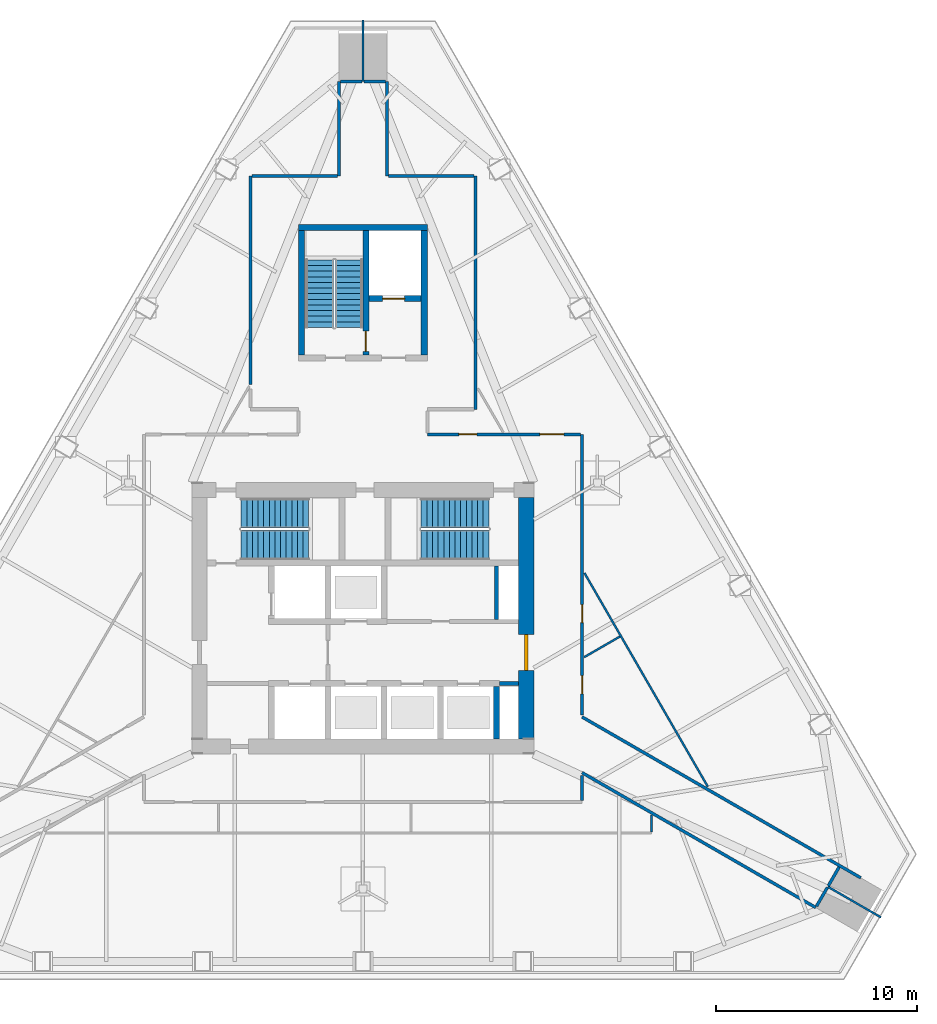
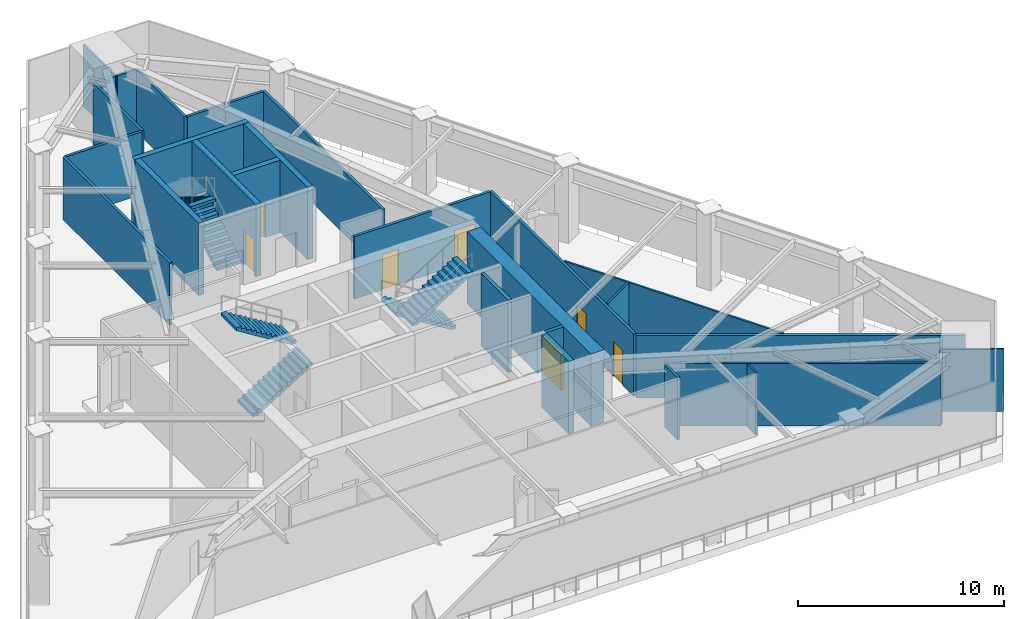
# One storey, part 4 of 9: 29 walls, 7 doors, 6 stair flights, 7 openings, 3 elements without a shape of their own.
"""IFC4 building model written with IfcOpenShell, lengths in metres."""

import ifcopenshell
import ifcopenshell.guid

model = None  # the IFC model being written
_history = None  # IfcOwnerHistory: only IFC2X3 demands one
_inside = {}  # id of a spatial element -> (the spatial element, [elements in it])
_under = {}  # id of a project, library or spatial element -> (it, [spatial elements below it])
_declared = {}  # id of a project -> (the project, [libraries it declares])
_typed = {}  # id of a type object -> (the type object, [elements of that type])
_made_of = {}  # id of a material, layer set ... -> (it, [elements and type objects made of it])


def new_model(schema):
    """Start an empty IFC model of exactly this schema.

    Asked for "IFC4X3", IfcOpenShell would pick the latest addendum, in which some entities
    have other attributes; the version numbers below select the first issue.
    IFC2X3 requires an IfcOwnerHistory on every rooted entity: one is made here for all.
    """
    global model, _history
    if schema == "IFC4X3":
        model = ifcopenshell.file(schema_version=(4, 3, 0, 0))
    else:
        model = ifcopenshell.file(schema=schema)
    _inside.clear()
    _under.clear()
    _declared.clear()
    _typed.clear()
    _made_of.clear()
    _history = None
    if model.schema == "IFC2X3":
        org = make("IfcOrganization", Name="unknown")
        user = make(
            "IfcPersonAndOrganization",
            ThePerson=make("IfcPerson", FamilyName="unknown"),
            TheOrganization=org,
        )
        app = make(
            "IfcApplication",
            ApplicationDeveloper=org,
            Version="unknown",
            ApplicationFullName="unknown",
            ApplicationIdentifier="unknown",
        )
        _history = make(
            "IfcOwnerHistory",
            OwningUser=user,
            OwningApplication=app,
            ChangeAction="ADDED",
            CreationDate=0,
        )
    return model


def make(cls, **values):
    """One entity of the class cls with the attributes given. An attribute that is None is left unset."""
    return model.create_entity(
        cls, **{name: value for name, value in values.items() if value is not None}
    )


def rooted(cls, **values):
    """An entity with a GlobalId (a new one), such as an element, a storey or a relation."""
    return make(cls, GlobalId=ifcopenshell.guid.new(), OwnerHistory=_history, **values)


def si_unit(unit_type, name, prefix=None):
    """IfcSIUnit, for example si_unit("LENGTHUNIT", "METRE", prefix="MILLI")."""
    return make("IfcSIUnit", UnitType=unit_type, Prefix=prefix, Name=name)


def assignment(units):
    """IfcUnitAssignment: the units of a project."""
    return None if units is None else make("IfcUnitAssignment", Units=units)


def point(xyz):
    """IfcCartesianPoint."""
    return None if xyz is None else make("IfcCartesianPoint", Coordinates=xyz)


def direction(xyz):
    """IfcDirection."""
    return None if xyz is None else make("IfcDirection", DirectionRatios=xyz)


def frame(location, z_axis=None, x_axis=None):
    """IfcAxis2Placement3D, a coordinate frame: its origin and axes. An axis left out is left unset."""
    return make(
        "IfcAxis2Placement3D",
        Location=point(location),
        Axis=direction(z_axis),
        RefDirection=direction(x_axis),
    )


def frame_2d(location, x_axis=None):
    """IfcAxis2Placement2D, a coordinate frame in the plane: its origin and x axis."""
    return make(
        "IfcAxis2Placement2D", Location=point(location), RefDirection=direction(x_axis)
    )


def origin():
    """The frame at (0, 0, 0) with its axes left unset."""
    return frame((0.0, 0.0, 0.0))


def place(relative_to, where):
    """IfcLocalPlacement: puts the frame where relative to a parent placement (None: the world)."""
    return make(
        "IfcLocalPlacement", PlacementRelTo=relative_to, RelativePlacement=where
    )


def context(
    kind, dimensions, precision=None, world=None, true_north=None, identifier=None
):
    """IfcGeometricRepresentationContext, for example the 3D "Model" context."""
    return make(
        "IfcGeometricRepresentationContext",
        ContextIdentifier=identifier,
        ContextType=kind,
        CoordinateSpaceDimension=dimensions,
        Precision=precision,
        WorldCoordinateSystem=world,
        TrueNorth=true_north,
    )


def subcontext(parent, identifier, kind, view, scale=None):
    """IfcGeometricRepresentationSubContext, for example "Body" below "Model"."""
    return make(
        "IfcGeometricRepresentationSubContext",
        ContextIdentifier=identifier,
        ContextType=kind,
        ParentContext=parent,
        TargetScale=scale,
        TargetView=view,
    )


def project(units=None, contexts=None):
    """IfcProject with its units and contexts."""
    return rooted(
        "IfcProject",
        Name="project",
        RepresentationContexts=contexts,
        UnitsInContext=assignment(units),
    )


def spatial(cls, under=None, at=None, **own):
    """A site, building, storey or space (cls), placed at a placement, below another one or the project."""
    s = rooted(cls, ObjectPlacement=at, **own)
    if under is not None:
        _under.setdefault(under.id(), (under, []))[1].append(s)
    return s


def polyline(points):
    """IfcPolyline through the points."""
    return make("IfcPolyline", Points=[point(p) for p in points])


def profile(cls, at=None, kind="AREA", **sizes):
    """A parametric profile (cls). Its sizes go by their IFC names, for example OverallWidth=200.0."""
    return make(cls, ProfileType=kind, Position=at, **sizes)


def rectangle(**sizes):
    """IfcRectangleProfileDef."""
    return profile("IfcRectangleProfileDef", **sizes)


def outline(outer, holes=None, kind="AREA"):
    """IfcArbitraryClosedProfileDef: a profile drawn as a closed curve; with holes, ...WithVoids."""
    if holes is None:
        return make("IfcArbitraryClosedProfileDef", ProfileType=kind, OuterCurve=outer)
    return make(
        "IfcArbitraryProfileDefWithVoids",
        ProfileType=kind,
        OuterCurve=outer,
        InnerCurves=holes,
    )


def extrude(swept, where, along, depth):
    """IfcExtrudedAreaSolid: the profile swept, set in the frame where, extruded along a direction by depth."""
    return make(
        "IfcExtrudedAreaSolid",
        SweptArea=swept,
        Position=where,
        ExtrudedDirection=direction(along),
        Depth=depth,
    )


def shape(context_of_items, identifier, shape_type, items):
    """IfcShapeRepresentation: the items that make up one representation, for example the "Body"."""
    return make(
        "IfcShapeRepresentation",
        ContextOfItems=context_of_items,
        RepresentationIdentifier=identifier,
        RepresentationType=shape_type,
        Items=items,
    )


def material(Name=None, Category=None):
    """IfcMaterial."""
    return make("IfcMaterial", Name=Name, Category=Category)


def layer(
    of_material, thickness, ventilated=None, Name=None, Category=None, Priority=None
):
    """IfcMaterialLayer: one layer of a wall or slab, of a material (None: an air gap)."""
    return make(
        "IfcMaterialLayer",
        Material=of_material,
        LayerThickness=thickness,
        IsVentilated=ventilated,
        Name=Name,
        Category=Category,
        Priority=Priority,
    )


def layer_set(layers, Name=None):
    """IfcMaterialLayerSet."""
    return make("IfcMaterialLayerSet", MaterialLayers=layers, LayerSetName=Name)


def made_of(thing, what):
    """Note that an element or type object is made of a material, layer set ...; save() writes the relation."""
    if what is not None:
        _made_of.setdefault(what.id(), (what, []))[1].append(thing)
    return thing


def type_object(cls, material=None, **own):
    """A type object (cls), such as IfcWallType, which elements share."""
    return made_of(rooted(cls, **own), material)


def element(
    cls,
    number,
    at=None,
    inside=None,
    cuts=None,
    type_object=None,
    material=None,
    context=None,
    identifier="Body",
    shape_type=None,
    held_by="IfcProductDefinitionShape",
    body=None,
    shapes=None,
    **own,
):
    """One element of the class cls, such as IfcWall. Its Tag is "e" and its number.

    at: its placement. inside: the storey or other place that contains it. cuts: it is an
    opening in that element (IfcRelVoidsElement). A single representation is given by context,
    identifier, shape_type and body (its items); several are given by shapes. held_by: the class
    of the entity that holds the representations. save() writes the other relations.
    """
    e = rooted(cls, Tag="e%d" % number, ObjectPlacement=at, **own)
    if body is not None:
        shapes = [shape(context, identifier, shape_type, body)]
    if shapes is not None:
        e.Representation = make(held_by, Representations=shapes)
    if inside is not None:
        _inside.setdefault(inside.id(), (inside, []))[1].append(e)
    if cuts is not None:
        rooted(
            "IfcRelVoidsElement", RelatingBuildingElement=cuts, RelatedOpeningElement=e
        )
    if type_object is not None:
        _typed.setdefault(type_object.id(), (type_object, []))[1].append(e)
    return made_of(e, material)


def fill(opening, filler):
    """IfcRelFillsElement: the door or window that sits in an opening."""
    return rooted(
        "IfcRelFillsElement",
        RelatingOpeningElement=opening,
        RelatedBuildingElement=filler,
    )


def aggregate(whole, parts):
    """IfcRelAggregates: a whole, such as a stair, and the parts it consists of."""
    return rooted("IfcRelAggregates", RelatingObject=whole, RelatedObjects=parts)


def save(model, path):
    """Write the relations noted so far, then the file.

    IfcRelAggregates (storeys below a building ...), IfcRelContainedInSpatialStructure (elements
    in a storey), IfcRelDefinesByType, IfcRelAssociatesMaterial and IfcRelDeclares: one each for
    every whole, place, type object, material and project.
    """
    for whole, parts in _under.values():
        aggregate(whole, parts)
    for where, things in _inside.values():
        rooted(
            "IfcRelContainedInSpatialStructure",
            RelatedElements=things,
            RelatingStructure=where,
        )
    for kind, things in _typed.values():
        rooted("IfcRelDefinesByType", RelatedObjects=things, RelatingType=kind)
    for what, things in _made_of.values():
        rooted("IfcRelAssociatesMaterial", RelatedObjects=things, RelatingMaterial=what)
    for by, libraries in _declared.values():
        rooted("IfcRelDeclares", RelatingContext=by, RelatedDefinitions=libraries)
    model.write(path)


model = new_model("IFC4")

# Units and contexts
model_context = context("Model", 3, precision=1e-05, world=origin(), true_north=direction((0.0, 1.0)))
body_context = subcontext(model_context, "Body", "Model", "MODEL_VIEW")
ifc_project = project(units=[si_unit("LENGTHUNIT", "METRE"), si_unit("AREAUNIT", "SQUARE_METRE"), si_unit("VOLUMEUNIT", "CUBIC_METRE"), si_unit("PLANEANGLEUNIT", "RADIAN"), si_unit("MASSUNIT", "GRAM", prefix="KILO")], contexts=[model_context])

# Site, building, storey
site_placement = place(None, origin())
site = spatial("IfcSite", under=ifc_project, at=site_placement, CompositionType="ELEMENT")
building_placement = place(site_placement, origin())
building = spatial("IfcBuilding", under=site, at=building_placement, Name="Firuza Gate Tower and Library", CompositionType="ELEMENT")
storey_placement = place(building_placement, frame((0.0, 0.0, 252.10009765625)))
storey = spatial("IfcBuildingStorey", under=building, at=storey_placement, Name="L59", CompositionType="ELEMENT", Elevation=252.10009765625)

# Walls
ifc_material_1 = material(Name="Plasterboard on steel studs", Category="steel")
ifc_layer_1 = layer(ifc_material_1, 0.199951171875)
ifc_layer_set_1 = layer_set([ifc_layer_1], Name="Core partition 200 EI 120")
wall_type_1 = type_object("IfcWallType", Name="Core partition 200 EI 120", PredefinedType="PARTITIONING", material=ifc_layer_set_1)
wall_1_placement = place(storey_placement, frame((81.800048828125, 71.75, 0.0), z_axis=(0.0, 0.0, 1.0), x_axis=(1.0, 0.0, 0.0)))
element("IfcWall", 1, at=wall_1_placement, inside=storey, type_object=wall_type_1, Name="Core partition L59 2", PredefinedType="PARTITIONING", context=body_context, shape_type="SweptSolid", body=[
    extrude(rectangle(XDim=0.949951171875, YDim=0.199951171875, at=frame_2d((0.47509765625, 0.0))), origin(), (0.0, 0.0, 1.0), 4.2998046875),
])
wall_2_placement = place(storey_placement, frame((81.64990234375, 74.949951171875, 0.0), z_axis=(0.0, 0.0, 1.0), x_axis=(0.0, 1.0, 0.0)))
element("IfcWall", 2, at=wall_2_placement, inside=storey, type_object=wall_type_1, Name="Core partition L59 5", PredefinedType="PARTITIONING", context=body_context, shape_type="SweptSolid", body=[
    extrude(rectangle(XDim=2.650146484375, YDim=0.199951171875, at=frame_2d((1.3251953125, 0.0))), origin(), (0.0, 0.0, 1.0), 4.2998046875),
])
ifc_material_2 = material(Name="Concrete C60/75", Category="concrete")
ifc_layer_2 = layer(ifc_material_2, 0.300048828125)
ifc_layer_set_2 = layer_set([ifc_layer_2], Name="Core wall 300 C60/75")
wall_type_2 = type_object("IfcWallType", Name="Core wall 300 C60/75", PredefinedType="SHEAR", material=ifc_layer_set_2)
wall_3_placement = place(storey_placement, frame((81.64990234375, 69.0, 0.0), z_axis=(0.0, 0.0, 1.0), x_axis=(0.0, 1.0, 0.0)))
element("IfcWall", 3, at=wall_3_placement, inside=storey, type_object=wall_type_2, Name="Core wall L59 14", PredefinedType="SHEAR", context=body_context, shape_type="SweptSolid", body=[
    extrude(rectangle(XDim=2.60009765625, YDim=0.300048828125, at=frame_2d((1.300048828125, 0.0))), origin(), (0.0, 0.0, 1.0), 4.2998046875),
])
wall_4_placement = place(storey_placement, frame((71.800048828125, 94.449951171875, 0.0), z_axis=(0.0, 0.0, 1.0), x_axis=(1.0, 0.0, 0.0)))
element("IfcWall", 4, at=wall_4_placement, inside=storey, type_object=wall_type_2, Name="Core wall L59 19", PredefinedType="SHEAR", context=body_context, shape_type="SweptSolid", body=[
    extrude(rectangle(XDim=6.39990234375, YDim=0.300048828125, at=frame_2d((3.199951171875, 0.0))), origin(), (0.0, 0.0, 1.0), 4.2998046875),
])
for number, where, z_axis, x_axis, name in (
    (5, (71.949951171875, 88.10009765625, 0.0), (0.0, 0.0, 1.0), (0.0, 1.0, 0.0), "Core wall L59 20"),
    (6, (78.050048828125, 88.10009765625, 0.0), (0.0, 0.0, 1.0), (0.0, 1.0, 0.0), "Core wall L59 21"),
):
    element("IfcWall", number, at=place(storey_placement, frame(where, z_axis=z_axis, x_axis=x_axis)), inside=storey, type_object=wall_type_2, Name=name, PredefinedType="SHEAR", context=body_context, shape_type="SweptSolid", body=[
        extrude(rectangle(XDim=6.199951171875, YDim=0.300048828125, at=frame_2d((3.10009765625, 0.0))), origin(), (0.0, 0.0, 1.0), 4.2998046875),
    ])

# Wall, opening, door
wall_5_placement = place(storey_placement, frame((75.300048828125, 90.89990234375, 0.0), z_axis=(0.0, 0.0, 1.0), x_axis=(1.0, 0.0, 0.0)))
wall_5 = element("IfcWall", 7, at=wall_5_placement, inside=storey, type_object=wall_type_2, Name="Core wall L59 22", PredefinedType="SHEAR", context=body_context, shape_type="SweptSolid", body=[
    extrude(rectangle(XDim=2.599853515625, YDim=0.300048828125, at=frame_2d((1.2998046875, 0.0))), origin(), (0.0, 0.0, 1.0), 4.2998046875),
])
opening_1_placement = place(wall_5_placement, frame((0.675048828125, 0.0, 0.0)))
opening_1 = element("IfcOpeningElement", 8, at=opening_1_placement, cuts=wall_5, Name="Opening LD-SV1-L59", PredefinedType="OPENING", context=body_context, shape_type="SweptSolid", body=[
    extrude(rectangle(XDim=1.10009765625, YDim=2.10009765625, at=frame_2d((0.550048828125, 1.050048828125))), frame((0.0, 0.16015625, 0.0), z_axis=(0.0, -1.0, 0.0), x_axis=(1.0, 0.0, 0.0)), (0.0, 0.0, 1.0), 0.320068359375),
])
ifc_material_3 = material(Name="Stainless steel", Category="steel")
door_type_1 = type_object("IfcDoorType", Name="Lift landing door 1100x2100", OperationType="DOUBLE_DOOR_SLIDING", PredefinedType="DOOR", material=ifc_material_3)
door_1_placement = place(opening_1_placement, origin())
door_1 = element("IfcDoor", 9, at=door_1_placement, inside=storey, type_object=door_type_1, Name="Landing door SV1 L59", OperationType="DOUBLE_DOOR_SLIDING", OverallHeight=2.10009765625, OverallWidth=1.10009765625, PredefinedType="DOOR", context=body_context, shape_type="SweptSolid", body=[
    extrude(rectangle(XDim=1.10009765625, YDim=2.10009765625, at=frame_2d((0.550048828125, 1.050048828125))), frame((0.0, 0.02490234375, 0.0), z_axis=(0.0, -1.0, 0.0), x_axis=(1.0, 0.0, 0.0)), (0.0, 0.0, 1.0), 0.050048828125),
])
fill(opening_1, door_1)

wall_6_placement = place(storey_placement, frame((75.14990234375, 88.10009765625, 0.0), z_axis=(0.0, 0.0, 1.0), x_axis=(0.0, 1.0, 0.0)))
wall_6 = element("IfcWall", 10, at=wall_6_placement, inside=storey, type_object=wall_type_2, Name="Core wall L59 23", PredefinedType="SHEAR", context=body_context, shape_type="SweptSolid", body=[
    extrude(rectangle(XDim=6.199951171875, YDim=0.300048828125, at=frame_2d((3.10009765625, 0.0))), origin(), (0.0, 0.0, 1.0), 4.2998046875),
])
opening_2_placement = place(wall_6_placement, frame((0.18505859375, 0.0, 0.0)))
opening_2 = element("IfcOpeningElement", 11, at=opening_2_placement, cuts=wall_6, Name="Opening L59-K12", PredefinedType="OPENING", context=body_context, shape_type="SweptSolid", body=[
    extrude(rectangle(XDim=1.0, YDim=2.10009765625, at=frame_2d((0.5, 1.050048828125))), frame((0.0, 0.16015625, 0.0), z_axis=(0.0, -1.0, 0.0), x_axis=(1.0, 0.0, 0.0)), (0.0, 0.0, 1.0), 0.320068359375),
])
ifc_material_4 = material(Name="Steel", Category="steel")
door_type_2 = type_object("IfcDoorType", Name="Fire door 1000x2100 FD90", OperationType="NOTDEFINED", PredefinedType="DOOR", material=ifc_material_4)
door_2_placement = place(opening_2_placement, origin())
door_2 = element("IfcDoor", 12, at=door_2_placement, inside=storey, type_object=door_type_2, Name="Door L59-K12", OperationType="SINGLE_SWING_LEFT", OverallHeight=2.10009765625, OverallWidth=1.0, PredefinedType="DOOR", context=body_context, shape_type="SweptSolid", body=[
    extrude(rectangle(XDim=1.0, YDim=2.10009765625, at=frame_2d((0.5, 1.050048828125))), frame((0.0, 0.02490234375, 0.0), z_axis=(0.0, -1.0, 0.0), x_axis=(1.0, 0.0, 0.0)), (0.0, 0.0, 1.0), 0.050048828125),
])
fill(opening_2, door_2)

ifc_material_5 = material(Name="Concrete C60/75", Category="concrete")
ifc_layer_3 = layer(ifc_material_5, 0.75)
ifc_layer_set_3 = layer_set([ifc_layer_3], Name="Core wall 750 C60/75")
wall_type_3 = type_object("IfcWallType", Name="Core wall 750 C60/75", PredefinedType="SHEAR", material=ifc_layer_set_3)
wall_7_placement = place(storey_placement, frame((83.125, 69.0, 0.0), z_axis=(0.0, 0.0, 1.0), x_axis=(0.0, 1.0, 0.0)))
wall_7 = element("IfcWall", 13, at=wall_7_placement, inside=storey, type_object=wall_type_3, Name="Core wall L59 4", PredefinedType="SHEAR", context=body_context, shape_type="SweptSolid", body=[
    extrude(rectangle(XDim=12.0, YDim=0.75, at=frame_2d((6.0, 0.0))), origin(), (0.0, 0.0, 1.0), 4.2998046875),
])
opening_3_placement = place(wall_7_placement, frame((3.39990234375, 0.0, 0.0)))
opening_3 = element("IfcOpeningElement", 14, at=opening_3_placement, cuts=wall_7, Name="Opening L59-K16", PredefinedType="OPENING", context=body_context, shape_type="SweptSolid", body=[
    extrude(rectangle(XDim=1.800048828125, YDim=2.10009765625, at=frame_2d((0.89990234375, 1.050048828125))), frame((0.0, 0.385009765625, 0.0), z_axis=(0.0, -1.0, 0.0), x_axis=(1.0, 0.0, 0.0)), (0.0, 0.0, 1.0), 0.77001953125),
])
ifc_material_6 = material(Name="Steel", Category="steel")
door_type_3 = type_object("IfcDoorType", Name="Fire door 1800x2100 FD30S", OperationType="NOTDEFINED", PredefinedType="DOOR", material=ifc_material_6)
door_3_placement = place(opening_3_placement, origin())
door_3 = element("IfcDoor", 15, at=door_3_placement, inside=storey, type_object=door_type_3, Name="Door L59-K16", OperationType="SINGLE_SWING_LEFT", OverallHeight=2.10009765625, OverallWidth=1.800048828125, PredefinedType="DOOR", context=body_context, shape_type="SweptSolid", body=[
    extrude(rectangle(XDim=1.800048828125, YDim=2.10009765625, at=frame_2d((0.89990234375, 1.050048828125))), frame((0.0, 0.094970703125, 0.0), z_axis=(0.0, -1.0, 0.0), x_axis=(1.0, 0.0, 0.0)), (0.0, 0.0, 1.0), 0.18994140625),
])
fill(opening_3, door_3)

# Wall, openings, doors
ifc_material_7 = material(Name="Gypsum board partition")
ifc_layer_4 = layer(ifc_material_7, 0.14990234375)
ifc_layer_set_4 = layer_set([ifc_layer_4], Name="Corridor wall 150 double board on steel studs")
wall_type_4 = type_object("IfcWallType", Name="Corridor wall 150 double board on steel studs", PredefinedType="PARTITIONING", material=ifc_layer_set_4)
wall_8_placement = place(storey_placement, frame((78.199951171875, 84.14990234375, 0.0), z_axis=(0.0, 0.0, 1.0), x_axis=(1.0, 0.0, 0.0)))
wall_8 = element("IfcWall", 16, at=wall_8_placement, inside=storey, type_object=wall_type_4, Name="f:L59:w003", PredefinedType="PARTITIONING", context=body_context, shape_type="SweptSolid", body=[
    extrude(rectangle(XDim=7.625, YDim=0.14990234375, at=frame_2d((3.8125, 0.0))), origin(), (0.0, 0.0, 1.0), 3.699951171875),
])
opening_4_placement = place(wall_8_placement, frame((1.570556640625, 0.0, 0.0)))
opening_4 = element("IfcOpeningElement", 17, at=opening_4_placement, cuts=wall_8, Name="Opening L59-06", PredefinedType="OPENING", context=body_context, shape_type="SweptSolid", body=[
    extrude(rectangle(XDim=0.89990234375, YDim=2.10009765625, at=frame_2d((0.449951171875, 1.050048828125))), frame((0.0, 0.0849609375, 0.0), z_axis=(0.0, -1.0, 0.0), x_axis=(1.0, 0.0, 0.0)), (0.0, 0.0, 1.0), 0.169921875),
])
opening_5_placement = place(wall_8_placement, frame((5.60009765625, 0.0, 0.0)))
opening_5 = element("IfcOpeningElement", 18, at=opening_5_placement, cuts=wall_8, Name="Opening L59-07", PredefinedType="OPENING", context=body_context, shape_type="SweptSolid", body=[
    extrude(rectangle(XDim=1.199951171875, YDim=2.10009765625, at=frame_2d((0.60009765625, 1.050048828125))), frame((0.0, 0.0849609375, 0.0), z_axis=(0.0, -1.0, 0.0), x_axis=(1.0, 0.0, 0.0)), (0.0, 0.0, 1.0), 0.169921875),
])
ifc_material_8 = material(Name="Steel door and timber leaf", Category="steel")
door_type_4 = type_object("IfcDoorType", Name="Fire door 1200 x 2100 steel frame, double leaf", OperationType="NOTDEFINED", PredefinedType="DOOR", material=ifc_material_8)
door_4_placement = place(opening_5_placement, origin())
door_4 = element("IfcDoor", 19, at=door_4_placement, inside=storey, type_object=door_type_4, Name="f:L59:d007", OperationType="DOUBLE_DOOR_SINGLE_SWING", OverallHeight=2.10009765625, OverallWidth=1.199951171875, PredefinedType="DOOR", context=body_context, shape_type="SweptSolid", body=[
    extrude(rectangle(XDim=1.199951171875, YDim=2.10009765625, at=frame_2d((0.60009765625, 1.050048828125))), frame((0.0, 0.02490234375, 0.0), z_axis=(0.0, -1.0, 0.0), x_axis=(1.0, 0.0, 0.0)), (0.0, 0.0, 1.0), 0.050048828125),
])
fill(opening_5, door_4)
ifc_material_9 = material(Name="Steel door and timber leaf", Category="steel")
door_type_5 = type_object("IfcDoorType", Name="Fire door 900 x 2100 steel frame, timber leaf", OperationType="NOTDEFINED", PredefinedType="DOOR", material=ifc_material_9)
door_5_placement = place(opening_4_placement, origin())
door_5 = element("IfcDoor", 20, at=door_5_placement, inside=storey, type_object=door_type_5, Name="f:L59:d006", OperationType="SINGLE_SWING_RIGHT", OverallHeight=2.10009765625, OverallWidth=0.89990234375, PredefinedType="DOOR", context=body_context, shape_type="SweptSolid", body=[
    extrude(rectangle(XDim=0.89990234375, YDim=2.10009765625, at=frame_2d((0.449951171875, 1.050048828125))), frame((0.0, 0.02490234375, 0.0), z_axis=(0.0, -1.0, 0.0), x_axis=(1.0, 0.0, 0.0)), (0.0, 0.0, 1.0), 0.050048828125),
])
fill(opening_4, door_5)

# Walls
for number, where, z_axis, x_axis, name in (
    (21, (69.47509765625, 97.0, 0.0), (0.0, 0.0, 1.0), (1.0, 0.0, 0.0), "f:L59:w006"),
    (22, (76.27490234375, 97.0, 0.0), (0.0, 0.0, 1.0), (1.0, 0.0, 0.0), "f:L59:w007"),
):
    element("IfcWall", number, at=place(storey_placement, frame(where, z_axis=z_axis, x_axis=x_axis)), inside=storey, type_object=wall_type_4, Name=name, PredefinedType="PARTITIONING", context=body_context, shape_type="SweptSolid", body=[
        extrude(rectangle(XDim=4.25, YDim=0.14990234375, at=frame_2d((2.125, 0.0))), origin(), (0.0, 0.0, 1.0), 3.699951171875),
    ])
wall_9_placement = place(storey_placement, frame((73.875, 101.705078125, 0.0), z_axis=(0.0, 0.0, 1.0), x_axis=(1.0, 0.0, 0.0)))
element("IfcWall", 23, at=wall_9_placement, inside=storey, type_object=wall_type_4, Name="f:L59:w008", PredefinedType="PARTITIONING", context=body_context, shape_type="SweptSolid", body=[
    extrude(rectangle(XDim=1.074951171875, YDim=0.14990234375, at=frame_2d((0.53759765625, 0.0))), origin(), (0.0, 0.0, 1.0), 3.699951171875),
])
wall_10_placement = place(storey_placement, frame((97.56494140625, 60.673583984375, 0.0), z_axis=(0.0, 0.0, 1.0), x_axis=(0.500023985599, 0.866011555249, 0.0)))
element("IfcWall", 24, at=wall_10_placement, inside=storey, type_object=wall_type_4, Name="f:L59:w013", PredefinedType="PARTITIONING", context=body_context, shape_type="SweptSolid", body=[
    extrude(rectangle(XDim=1.07470703125, YDim=0.14990234375, at=frame_2d((0.537353515625, 0.0))), origin(), (0.0, 0.0, 1.0), 3.699951171875),
])
wall_11_placement = place(storey_placement, frame((85.89990234375, 65.925048828125, 0.0), z_axis=(0.0, 0.0, 1.0), x_axis=(0.0, 1.0, 0.0)))
element("IfcWall", 25, at=wall_11_placement, inside=storey, type_object=wall_type_4, Name="f:L59:w017", PredefinedType="PARTITIONING", context=body_context, shape_type="SweptSolid", body=[
    extrude(rectangle(XDim=1.259521484375, YDim=0.14990234375, at=frame_2d((0.6298828125, 0.0))), origin(), (0.0, 0.0, 1.0), 3.699951171875),
])

# Wall, openings, doors
wall_12_placement = place(storey_placement, frame((85.89990234375, 84.14990234375, 0.0), z_axis=(0.0, 0.0, 1.0), x_axis=(0.0, -1.0, 0.0)))
wall_12 = element("IfcWall", 26, at=wall_12_placement, inside=storey, type_object=wall_type_4, Name="f:L59:w018", PredefinedType="PARTITIONING", context=body_context, shape_type="SweptSolid", body=[
    extrude(rectangle(XDim=13.970703125, YDim=0.14990234375, at=frame_2d((6.9853515625, 0.0))), origin(), (0.0, 0.0, 1.0), 3.699951171875),
])
opening_6_placement = place(wall_12_placement, frame((8.467041015625, 0.0, 0.0)))
opening_6 = element("IfcOpeningElement", 27, at=opening_6_placement, cuts=wall_12, Name="Opening L59-11", PredefinedType="OPENING", context=body_context, shape_type="SweptSolid", body=[
    extrude(rectangle(XDim=0.89990234375, YDim=2.10009765625, at=frame_2d((0.449951171875, 1.050048828125))), frame((0.0, 0.0849609375, 0.0), z_axis=(0.0, -1.0, 0.0), x_axis=(1.0, 0.0, 0.0)), (0.0, 0.0, 1.0), 0.169921875),
])
opening_7_placement = place(wall_12_placement, frame((12.006103515625, 0.0, 0.0)))
opening_7 = element("IfcOpeningElement", 28, at=opening_7_placement, cuts=wall_12, Name="Opening L59-12", PredefinedType="OPENING", context=body_context, shape_type="SweptSolid", body=[
    extrude(rectangle(XDim=0.89990234375, YDim=2.10009765625, at=frame_2d((0.449951171875, 1.050048828125))), frame((0.0, 0.0849609375, 0.0), z_axis=(0.0, -1.0, 0.0), x_axis=(1.0, 0.0, 0.0)), (0.0, 0.0, 1.0), 0.169921875),
])
door_6_placement = place(opening_6_placement, origin())
door_6 = element("IfcDoor", 29, at=door_6_placement, inside=storey, type_object=door_type_5, Name="f:L59:d011", OperationType="SINGLE_SWING_RIGHT", OverallHeight=2.10009765625, OverallWidth=0.89990234375, PredefinedType="DOOR", context=body_context, shape_type="SweptSolid", body=[
    extrude(rectangle(XDim=0.89990234375, YDim=2.10009765625, at=frame_2d((0.449951171875, 1.050048828125))), frame((0.0, 0.02490234375, 0.0), z_axis=(0.0, -1.0, 0.0), x_axis=(1.0, 0.0, 0.0)), (0.0, 0.0, 1.0), 0.050048828125),
])
fill(opening_6, door_6)
door_7_placement = place(opening_7_placement, origin())
door_7 = element("IfcDoor", 30, at=door_7_placement, inside=storey, type_object=door_type_5, Name="f:L59:d012", OperationType="SINGLE_SWING_LEFT", OverallHeight=2.10009765625, OverallWidth=0.89990234375, PredefinedType="DOOR", context=body_context, shape_type="SweptSolid", body=[
    extrude(rectangle(XDim=0.89990234375, YDim=2.10009765625, at=frame_2d((0.449951171875, 1.050048828125))), frame((0.0, 0.02490234375, 0.0), z_axis=(0.0, -1.0, 0.0), x_axis=(1.0, 0.0, 0.0)), (0.0, 0.0, 1.0), 0.050048828125),
])
fill(opening_7, door_7)

# Walls
wall_13_placement = place(storey_placement, frame((80.60009765625, 85.39990234375, 0.0), z_axis=(0.0, 0.0, 1.0), x_axis=(0.0, 1.0, 0.0)))
element("IfcWall", 31, at=wall_13_placement, inside=storey, type_object=wall_type_4, Name="f:L59:w019", PredefinedType="PARTITIONING", context=body_context, shape_type="SweptSolid", body=[
    extrude(rectangle(XDim=11.60009765625, YDim=0.14990234375, at=frame_2d((5.800048828125, 0.0))), origin(), (0.0, 0.0, 1.0), 3.699951171875),
])
for number, where, z_axis, x_axis, name in (
    (32, (76.199951171875, 97.0, 0.0), (0.0, 0.0, 1.0), (0.0, 1.0, 0.0), "f:L59:w022"),
    (33, (73.800048828125, 97.0, 0.0), (0.0, 0.0, 1.0), (0.0, 1.0, 0.0), "f:L59:w024"),
):
    element("IfcWall", number, at=place(storey_placement, frame(where, z_axis=z_axis, x_axis=x_axis)), inside=storey, type_object=wall_type_4, Name=name, PredefinedType="PARTITIONING", context=body_context, shape_type="SweptSolid", body=[
        extrude(rectangle(XDim=4.70458984375, YDim=0.14990234375, at=frame_2d((2.352294921875, 0.0))), origin(), (0.0, 0.0, 1.0), 3.699951171875),
    ])
wall_14_placement = place(storey_placement, frame((69.39990234375, 86.640625, 0.0), z_axis=(0.0, 0.0, 1.0), x_axis=(0.0, 1.0, 0.0)))
element("IfcWall", 34, at=wall_14_placement, inside=storey, type_object=wall_type_4, Name="f:L59:w027", PredefinedType="PARTITIONING", context=body_context, shape_type="SweptSolid", body=[
    extrude(rectangle(XDim=10.359375, YDim=0.14990234375, at=frame_2d((5.1796875, 0.0))), origin(), (0.0, 0.0, 1.0), 3.699951171875),
])
wall_15_placement = place(storey_placement, frame((99.76611328125, 62.0869140625, 0.0), z_axis=(0.0, 0.0, 1.0), x_axis=(-0.866022819081, 0.500004476811, 0.0)))
element("IfcWall", 35, at=wall_15_placement, inside=storey, type_object=wall_type_4, Name="f:L59:w034", PredefinedType="PARTITIONING", context=body_context, shape_type="SweptSolid", body=[
    extrude(rectangle(XDim=16.010986328125, YDim=0.14990234375, at=frame_2d((8.00537109375, 0.0))), origin(), (0.0, 0.0, 1.0), 3.699951171875),
])
wall_16_placement = place(storey_placement, frame((97.526611328125, 60.60888671875, 0.0), z_axis=(0.0, 0.0, 1.0), x_axis=(-0.866029927832, 0.499992164038, 0.0)))
element("IfcWall", 36, at=wall_16_placement, inside=storey, type_object=wall_type_4, Name="f:L59:w036", PredefinedType="PARTITIONING", context=body_context, shape_type="SweptSolid", body=[
    extrude(rectangle(XDim=13.425048828125, YDim=0.14990234375, at=frame_2d((6.71240234375, 0.0))), origin(), (0.0, 0.0, 1.0), 3.699951171875),
])
for number, where, z_axis, x_axis, name in (
    (37, (75.050048828125, 101.705078125, 0.0), (0.0, 0.0, 1.0), (1.0, 0.0, 0.0), "f:L59:w039"),
    (38, (98.15234375, 61.69091796875, 0.0), (0.0, 0.0, 1.0), (0.499925626596, 0.866068339032, 0.0), "f:L59:w041"),
):
    element("IfcWall", number, at=place(storey_placement, frame(where, z_axis=z_axis, x_axis=x_axis)), inside=storey, type_object=wall_type_4, Name=name, PredefinedType="PARTITIONING", context=body_context, shape_type="SweptSolid", body=[
        extrude(rectangle(XDim=1.074951171875, YDim=0.14990234375, at=frame_2d((0.53759765625, 0.0))), origin(), (0.0, 0.0, 1.0), 3.699951171875),
    ])
ifc_material_10 = material(Name="Gypsum board partition")
ifc_layer_5 = layer(ifc_material_10, 0.10009765625)
ifc_layer_set_5 = layer_set([ifc_layer_5], Name="Partition 100 gypsum board on steel studs")
wall_type_5 = type_object("IfcWallType", Name="Partition 100 gypsum board on steel studs", PredefinedType="PARTITIONING", material=ifc_layer_set_5)
wall_17_placement = place(storey_placement, frame((86.001220703125, 73.063232421875, 0.0), z_axis=(0.0, 0.0, 1.0), x_axis=(0.866025804792, 0.499999305434, 0.0)))
element("IfcWall", 39, at=wall_17_placement, inside=storey, type_object=wall_type_5, Name="f:L59:w009", PredefinedType="PARTITIONING", context=body_context, shape_type="SweptSolid", body=[
    extrude(rectangle(XDim=2.06103515625, YDim=0.10009765625, at=frame_2d((1.030517578125, 0.0))), origin(), (0.0, 0.0, 1.0), 3.699951171875),
])
wall_18_placement = place(storey_placement, frame((89.35498046875, 64.38037109375, 0.0), z_axis=(0.0, 0.0, 1.0), x_axis=(0.0, 1.0, 0.0)))
element("IfcWall", 40, at=wall_18_placement, inside=storey, type_object=wall_type_5, Name="f:L59:w016", PredefinedType="PARTITIONING", context=body_context, shape_type="SweptSolid", body=[
    extrude(rectangle(XDim=0.82861328125, YDim=0.10009765625, at=frame_2d((0.414306640625, 0.0))), origin(), (0.0, 0.0, 1.0), 3.699951171875),
])
wall_19_placement = place(storey_placement, frame((75.0, 101.70458984375, 0.0), z_axis=(0.0, 0.0, 1.0), x_axis=(0.0, 1.0, 0.0)))
element("IfcWall", 41, at=wall_19_placement, inside=storey, type_object=wall_type_5, Name="f:L59:w023", PredefinedType="PARTITIONING", context=body_context, shape_type="SweptSolid", body=[
    extrude(rectangle(XDim=3.06005859375, YDim=0.10009765625, at=frame_2d((1.530029296875, 0.0))), origin(), (0.0, 0.0, 1.0), 3.699951171875),
])
wall_20_placement = place(storey_placement, frame((92.1611328125, 66.6162109375, 0.0), z_axis=(0.0, 0.0, 1.0), x_axis=(-0.50000005176, 0.866025373901, 0.0)))
element("IfcWall", 42, at=wall_20_placement, inside=storey, type_object=wall_type_5, Name="f:L59:w031", PredefinedType="PARTITIONING", context=body_context, shape_type="SweptSolid", body=[
    extrude(rectangle(XDim=12.2822265625, YDim=0.10009765625, at=frame_2d((6.14111328125, 0.0))), origin(), (0.0, 0.0, 1.0), 3.699951171875),
])
wall_21_placement = place(storey_placement, frame((100.777099609375, 60.11767578125, 0.0), z_axis=(0.0, 0.0, 1.0), x_axis=(-0.866030142557, 0.499991792115, 0.0)))
element("IfcWall", 43, at=wall_21_placement, inside=storey, type_object=wall_type_5, Name="f:L59:w035", PredefinedType="PARTITIONING", context=body_context, shape_type="SweptSolid", body=[
    extrude(rectangle(XDim=3.06005859375, YDim=0.10009765625, at=frame_2d((1.530029296875, 0.0))), origin(), (0.0, 0.0, 1.0), 3.699951171875),
])

# Stair, stair flights
ifc_material_11 = material(Name="Concrete C35/45", Category="concrete")
stair_type_1 = type_object("IfcStairType", Name="Exit stair ST10", PredefinedType="HALF_TURN_STAIR", material=ifc_material_11)
placement = place(storey_placement, origin())
stair_1 = element("IfcStair", 44, at=placement, inside=storey, type_object=stair_type_1, Name="L59 Stair ST3", PredefinedType="HALF_TURN_STAIR")
ifc_material_12 = material(Name="Concrete C35/45", Category="concrete")
stair_flight_type_1 = type_object("IfcStairFlightType", Name="Stair flight 13 risers 173.1 width 1370", PredefinedType="STRAIGHT", material=ifc_material_12)
stair_flight_1_placement = place(storey_placement, frame((74.31494140625, 89.469970703125, 0.0), z_axis=(0.0, 0.0, 1.0), x_axis=(0.0, 1.0, 0.0)))
stair_flight_1 = element("IfcStairFlight", 45, at=stair_flight_1_placement, type_object=stair_flight_type_1, Name="ST3 flight 1", NumberOfRisers=13, NumberOfTreads=12, PredefinedType="STRAIGHT", RiserHeight=0.173076923, TreadLength=0.28, context=body_context, shape_type="SweptSolid", body=[
    extrude(outline(polyline([(0.0, 0.0), (0.0, 0.173095703125), (0.280029296875, 0.173095703125), (0.280029296875, 0.34619140625), (0.56005859375, 0.34619140625), (0.56005859375, 0.519287109375), (0.840087890625, 0.519287109375), (0.840087890625, 0.6923828125), (1.1201171875, 0.6923828125), (1.1201171875, 0.865478515625), (1.39990234375, 0.865478515625), (1.39990234375, 1.03857421875), (1.679931640625, 1.03857421875), (1.679931640625, 1.21142578125), (1.9599609375, 1.21142578125), (1.9599609375, 1.384521484375), (2.239990234375, 1.384521484375), (2.239990234375, 1.5576171875), (2.52001953125, 1.5576171875), (2.52001953125, 1.730712890625), (2.800048828125, 1.730712890625), (2.800048828125, 1.90380859375), (3.080078125, 1.90380859375), (3.080078125, 2.076904296875), (3.360107421875, 2.076904296875), (3.360107421875, 2.25), (3.360107421875, 1.900634765625), (0.28515625, 0.0), (0.0, 0.0)])), frame((0.0, 0.68505859375, 0.0), z_axis=(0.0, -1.0, 0.0), x_axis=(1.0, 0.0, 0.0)), (0.0, 0.0, 1.0), 1.3701171875),
])
stair_flight_2_placement = place(storey_placement, frame((72.844970703125, 92.830078125, 2.25), z_axis=(0.0, 0.0, 1.0), x_axis=(0.0, -1.0, 0.0)))
stair_flight_2 = element("IfcStairFlight", 46, at=stair_flight_2_placement, type_object=stair_flight_type_1, Name="ST3 flight 2", NumberOfRisers=13, NumberOfTreads=12, PredefinedType="STRAIGHT", RiserHeight=0.173076923, TreadLength=0.28, context=body_context, shape_type="SweptSolid", body=[
    extrude(outline(polyline([(0.0, 0.0), (0.0, 0.173095703125), (0.280029296875, 0.173095703125), (0.280029296875, 0.34619140625), (0.56005859375, 0.34619140625), (0.56005859375, 0.519287109375), (0.840087890625, 0.519287109375), (0.840087890625, 0.6923828125), (1.1201171875, 0.6923828125), (1.1201171875, 0.865478515625), (1.39990234375, 0.865478515625), (1.39990234375, 1.03857421875), (1.679931640625, 1.03857421875), (1.679931640625, 1.21142578125), (1.9599609375, 1.21142578125), (1.9599609375, 1.384521484375), (2.239990234375, 1.384521484375), (2.239990234375, 1.5576171875), (2.52001953125, 1.5576171875), (2.52001953125, 1.730712890625), (2.800048828125, 1.730712890625), (2.800048828125, 1.90380859375), (3.080078125, 1.90380859375), (3.080078125, 2.076904296875), (3.360107421875, 2.076904296875), (3.360107421875, 2.25), (3.360107421875, 1.900634765625), (0.28515625, 0.0), (0.0, 0.0)])), frame((0.0, 0.68505859375, 0.0), z_axis=(0.0, -1.0, 0.0), x_axis=(1.0, 0.0, 0.0)), (0.0, 0.0, 1.0), 1.3701171875),
])
aggregate(stair_1, [stair_flight_1, stair_flight_2])

ifc_material_13 = material(Name="Concrete C35/45", Category="concrete")
stair_type_2 = type_object("IfcStairType", Name="Exit stair ST1", PredefinedType="HALF_TURN_STAIR", material=ifc_material_13)
stair_2 = element("IfcStair", 47, at=placement, inside=storey, type_object=stair_type_2, Name="L59 Stair ST1", PredefinedType="HALF_TURN_STAIR")
ifc_material_14 = material(Name="Concrete C35/45", Category="concrete")
stair_flight_type_2 = type_object("IfcStairFlightType", Name="Stair flight 13 risers 173.1 width 1490", PredefinedType="STRAIGHT", material=ifc_material_14)
stair_flight_3_placement = place(storey_placement, frame((68.93994140625, 78.64501953125, 0.0), z_axis=(0.0, 0.0, 1.0), x_axis=(1.0, 0.0, 0.0)))
stair_flight_3 = element("IfcStairFlight", 48, at=stair_flight_3_placement, type_object=stair_flight_type_2, Name="ST1 flight 1", NumberOfRisers=13, NumberOfTreads=12, PredefinedType="STRAIGHT", RiserHeight=0.173076923, TreadLength=0.28, context=body_context, shape_type="SweptSolid", body=[
    extrude(outline(polyline([(0.0, 0.0), (0.0, 0.173095703125), (0.280029296875, 0.173095703125), (0.280029296875, 0.34619140625), (0.56005859375, 0.34619140625), (0.56005859375, 0.519287109375), (0.840087890625, 0.519287109375), (0.840087890625, 0.6923828125), (1.1201171875, 0.6923828125), (1.1201171875, 0.865478515625), (1.39990234375, 0.865478515625), (1.39990234375, 1.03857421875), (1.679931640625, 1.03857421875), (1.679931640625, 1.21142578125), (1.9599609375, 1.21142578125), (1.9599609375, 1.384521484375), (2.239990234375, 1.384521484375), (2.239990234375, 1.5576171875), (2.52001953125, 1.5576171875), (2.52001953125, 1.730712890625), (2.800048828125, 1.730712890625), (2.800048828125, 1.90380859375), (3.080078125, 1.90380859375), (3.080078125, 2.076904296875), (3.360107421875, 2.076904296875), (3.360107421875, 2.25), (3.360107421875, 1.900634765625), (0.28515625, 0.0), (0.0, 0.0)])), frame((0.0, 0.7451171875, 0.0), z_axis=(0.0, -1.0, 0.0), x_axis=(1.0, 0.0, 0.0)), (0.0, 0.0, 1.0), 1.489990234375),
])
stair_flight_4_placement = place(storey_placement, frame((72.300048828125, 80.235107421875, 2.25), z_axis=(0.0, 0.0, 1.0), x_axis=(-1.0, 0.0, 0.0)))
stair_flight_4 = element("IfcStairFlight", 49, at=stair_flight_4_placement, type_object=stair_flight_type_2, Name="ST1 flight 2", NumberOfRisers=13, NumberOfTreads=12, PredefinedType="STRAIGHT", RiserHeight=0.173076923, TreadLength=0.28, context=body_context, shape_type="SweptSolid", body=[
    extrude(outline(polyline([(0.0, 0.0), (0.0, 0.173095703125), (0.280029296875, 0.173095703125), (0.280029296875, 0.34619140625), (0.56005859375, 0.34619140625), (0.56005859375, 0.519287109375), (0.840087890625, 0.519287109375), (0.840087890625, 0.6923828125), (1.1201171875, 0.6923828125), (1.1201171875, 0.865478515625), (1.39990234375, 0.865478515625), (1.39990234375, 1.03857421875), (1.679931640625, 1.03857421875), (1.679931640625, 1.21142578125), (1.9599609375, 1.21142578125), (1.9599609375, 1.384521484375), (2.239990234375, 1.384521484375), (2.239990234375, 1.5576171875), (2.52001953125, 1.5576171875), (2.52001953125, 1.730712890625), (2.800048828125, 1.730712890625), (2.800048828125, 1.90380859375), (3.080078125, 1.90380859375), (3.080078125, 2.076904296875), (3.360107421875, 2.076904296875), (3.360107421875, 2.25), (3.360107421875, 1.900634765625), (0.28515625, 0.0), (0.0, 0.0)])), frame((0.0, 0.7451171875, 0.0), z_axis=(0.0, -1.0, 0.0), x_axis=(1.0, 0.0, 0.0)), (0.0, 0.0, 1.0), 1.489990234375),
])
aggregate(stair_2, [stair_flight_3, stair_flight_4])

stair_3 = element("IfcStair", 50, at=placement, inside=storey, type_object=stair_type_2, Name="L59 Stair ST2", PredefinedType="HALF_TURN_STAIR")
stair_flight_5_placement = place(storey_placement, frame((81.260009765625, 80.235107421875, 0.0), z_axis=(0.0, 0.0, 1.0), x_axis=(-1.0, 0.0, 0.0)))
stair_flight_5 = element("IfcStairFlight", 51, at=stair_flight_5_placement, type_object=stair_flight_type_2, Name="ST2 flight 1", NumberOfRisers=13, NumberOfTreads=12, PredefinedType="STRAIGHT", RiserHeight=0.173076923, TreadLength=0.28, context=body_context, shape_type="SweptSolid", body=[
    extrude(outline(polyline([(0.0, 0.0), (0.0, 0.173095703125), (0.280029296875, 0.173095703125), (0.280029296875, 0.34619140625), (0.56005859375, 0.34619140625), (0.56005859375, 0.519287109375), (0.840087890625, 0.519287109375), (0.840087890625, 0.6923828125), (1.1201171875, 0.6923828125), (1.1201171875, 0.865478515625), (1.39990234375, 0.865478515625), (1.39990234375, 1.03857421875), (1.679931640625, 1.03857421875), (1.679931640625, 1.21142578125), (1.9599609375, 1.21142578125), (1.9599609375, 1.384521484375), (2.239990234375, 1.384521484375), (2.239990234375, 1.5576171875), (2.52001953125, 1.5576171875), (2.52001953125, 1.730712890625), (2.800048828125, 1.730712890625), (2.800048828125, 1.90380859375), (3.080078125, 1.90380859375), (3.080078125, 2.076904296875), (3.360107421875, 2.076904296875), (3.360107421875, 2.25), (3.360107421875, 1.900634765625), (0.28515625, 0.0), (0.0, 0.0)])), frame((0.0, 0.7451171875, 0.0), z_axis=(0.0, -1.0, 0.0), x_axis=(1.0, 0.0, 0.0)), (0.0, 0.0, 1.0), 1.489990234375),
])
stair_flight_6_placement = place(storey_placement, frame((77.89990234375, 78.64501953125, 2.25), z_axis=(0.0, 0.0, 1.0), x_axis=(1.0, 0.0, 0.0)))
stair_flight_6 = element("IfcStairFlight", 52, at=stair_flight_6_placement, type_object=stair_flight_type_2, Name="ST2 flight 2", NumberOfRisers=13, NumberOfTreads=12, PredefinedType="STRAIGHT", RiserHeight=0.173076923, TreadLength=0.28, context=body_context, shape_type="SweptSolid", body=[
    extrude(outline(polyline([(0.0, 0.0), (0.0, 0.173095703125), (0.280029296875, 0.173095703125), (0.280029296875, 0.34619140625), (0.56005859375, 0.34619140625), (0.56005859375, 0.519287109375), (0.840087890625, 0.519287109375), (0.840087890625, 0.6923828125), (1.1201171875, 0.6923828125), (1.1201171875, 0.865478515625), (1.39990234375, 0.865478515625), (1.39990234375, 1.03857421875), (1.679931640625, 1.03857421875), (1.679931640625, 1.21142578125), (1.9599609375, 1.21142578125), (1.9599609375, 1.384521484375), (2.239990234375, 1.384521484375), (2.239990234375, 1.5576171875), (2.52001953125, 1.5576171875), (2.52001953125, 1.730712890625), (2.800048828125, 1.730712890625), (2.800048828125, 1.90380859375), (3.080078125, 1.90380859375), (3.080078125, 2.076904296875), (3.360107421875, 2.076904296875), (3.360107421875, 2.25), (3.360107421875, 1.900634765625), (0.28515625, 0.0), (0.0, 0.0)])), frame((0.0, 0.7451171875, 0.0), z_axis=(0.0, -1.0, 0.0), x_axis=(1.0, 0.0, 0.0)), (0.0, 0.0, 1.0), 1.489990234375),
])
aggregate(stair_3, [stair_flight_5, stair_flight_6])

save(model, "model.ifc")
